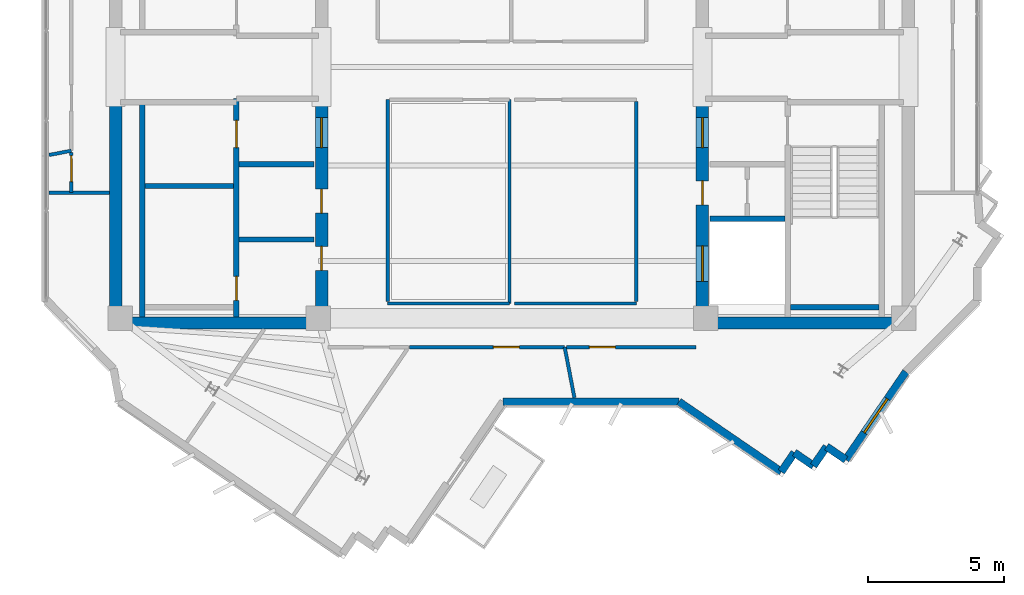
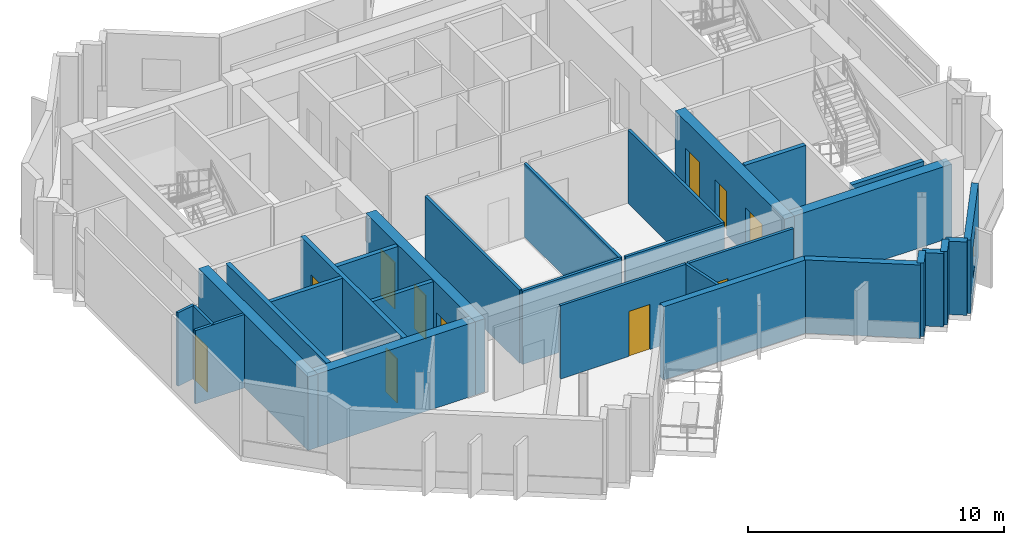
# One storey, part 5 of 11: 30 walls, 11 doors, 1 window, 12 openings.
"""IFC4 building model written with IfcOpenShell, lengths in metres."""

from ifc_helpers import new_model, si_unit, direction, frame, frame_2d, origin, place, context, subcontext, project, spatial, rectangle, extrude, source, transform, mapped, material, layer, layer_set, type_object, element, fill, save


model = new_model("IFC4")

# Units and contexts
model_context = context("Model", 3, precision=1e-05, world=origin(), true_north=direction((0.0, 1.0)))
body_context = subcontext(model_context, "Body", "Model", "MODEL_VIEW")
ifc_project = project(units=[si_unit("LENGTHUNIT", "METRE"), si_unit("AREAUNIT", "SQUARE_METRE"), si_unit("VOLUMEUNIT", "CUBIC_METRE"), si_unit("PLANEANGLEUNIT", "RADIAN"), si_unit("MASSUNIT", "GRAM", prefix="KILO")], contexts=[model_context])

# Site, building, storey
site_placement = place(None, origin())
site = spatial("IfcSite", under=ifc_project, at=site_placement, CompositionType="ELEMENT")
building_placement = place(site_placement, origin())
building = spatial("IfcBuilding", under=site, at=building_placement, Name="Zahravan Cultural Tower", CompositionType="ELEMENT")
storey_placement = place(building_placement, frame((0.0, 0.0, 334.800048828125)))
storey = spatial("IfcBuildingStorey", under=building, at=storey_placement, Name="L81", CompositionType="ELEMENT", Elevation=334.800048828125)

# Wall, openings, doors
ifc_material_1 = material(Name="Concrete C50/60", Category="concrete")
ifc_layer_1 = layer(ifc_material_1, 0.449951171875)
ifc_layer_set_1 = layer_set([ifc_layer_1], Name="Concrete C50/60")
wall_type_1 = type_object("IfcWallType", Name="CW-SHEAR-450-C50", PredefinedType="SHEAR", material=ifc_layer_set_1)
wall_1_placement = place(storey_placement, frame((29.02490234375, 17.39990234375, 0.0), z_axis=(0.0, 0.0, 1.0), x_axis=(0.0, 1.0, 0.0)))
wall_1 = element("IfcWall", 1, at=wall_1_placement, inside=storey, type_object=wall_type_1, Name="L81 Core Shear Wall CW-W-ES-L81", PredefinedType="SHEAR", context=body_context, shape_type="SweptSolid", body=[
    extrude(rectangle(XDim=8.550048828125, YDim=0.449951171875, at=frame_2d((4.27490234375, 0.0))), origin(), (0.0, 0.0, 1.0), 3.5),
])
opening_1_placement = place(wall_1_placement, frame((6.64990234375, 0.0, 0.0)))
opening_1 = element("IfcOpeningElement", 2, at=opening_1_placement, cuts=wall_1, Name="Opening D-L81-08", PredefinedType="OPENING", context=body_context, shape_type="SweptSolid", body=[
    extrude(rectangle(XDim=1.10009765625, YDim=2.199951171875, at=frame_2d((0.550048828125, 1.10009765625))), frame((0.0, 0.23486328125, 0.0), z_axis=(0.0, -1.0, 0.0), x_axis=(1.0, 0.0, 0.0)), (0.0, 0.0, 1.0), 0.469970703125),
])
opening_2_placement = place(wall_1_placement, frame((2.14990234375, 0.0, 0.0)))
opening_2 = element("IfcOpeningElement", 3, at=opening_2_placement, cuts=wall_1, Name="Opening D-L81-10", PredefinedType="OPENING", context=body_context, shape_type="SweptSolid", body=[
    extrude(rectangle(XDim=0.8798828125, YDim=2.10009765625, at=frame_2d((0.43994140625, 1.050048828125))), frame((0.0, 0.23486328125, 0.0), z_axis=(0.0, -1.0, 0.0), x_axis=(1.0, 0.0, 0.0)), (0.0, 0.0, 1.0), 0.469970703125),
])
opening_3_placement = place(wall_1_placement, frame((4.25, 0.0, 0.0)))
opening_3 = element("IfcOpeningElement", 4, at=opening_3_placement, cuts=wall_1, Name="Opening D-L81-11", PredefinedType="OPENING", context=body_context, shape_type="SweptSolid", body=[
    extrude(rectangle(XDim=0.8798828125, YDim=2.10009765625, at=frame_2d((0.43994140625, 1.050048828125))), frame((0.0, 0.23486328125, 0.0), z_axis=(0.0, -1.0, 0.0), x_axis=(1.0, 0.0, 0.0)), (0.0, 0.0, 1.0), 0.469970703125),
])
ifc_material_2 = material(Name="Steel ASTM A572 Grade 50", Category="steel")
door_type_1 = type_object("IfcDoorType", Name="DR-LOBBY-1100", OperationType="NOTDEFINED", PredefinedType="DOOR", material=ifc_material_2)
shared_shape_1 = source(origin(), body_context, "Body", "SweptSolid", [
    extrude(rectangle(XDim=1.10009765625, YDim=2.199951171875, at=frame_2d((0.550048828125, 1.10009765625))), frame((0.0, 0.02490234375, 0.0), z_axis=(0.0, -1.0, 0.0), x_axis=(1.0, 0.0, 0.0)), (0.0, 0.0, 1.0), 0.050048828125),
])
door_1_placement = place(opening_1_placement, origin())
door_1 = element("IfcDoor", 5, at=door_1_placement, inside=storey, type_object=door_type_1, Name="L81 Door D-L81-08", OperationType="SINGLE_SWING_LEFT", OverallHeight=2.199951171875, OverallWidth=1.10009765625, PredefinedType="DOOR", context=body_context, shape_type="MappedRepresentation", body=[
    mapped(shared_shape_1, transform((0.0, 0.0, 0.0), x_axis=(1.0, 0.0, 0.0), y_axis=(0.0, 1.0, 0.0), z_axis=(0.0, 0.0, 1.0), scale=1.0)),
])
fill(opening_1, door_1)
door_type_2 = type_object("IfcDoorType", Name="DR-SVC-880", OperationType="NOTDEFINED", PredefinedType="DOOR", material=ifc_material_2)
shared_shape_2 = source(origin(), body_context, "Body", "SweptSolid", [
    extrude(rectangle(XDim=0.8798828125, YDim=2.10009765625, at=frame_2d((0.43994140625, 1.050048828125))), frame((0.0, 0.02490234375, 0.0), z_axis=(0.0, -1.0, 0.0), x_axis=(1.0, 0.0, 0.0)), (0.0, 0.0, 1.0), 0.050048828125),
])
door_2_placement = place(opening_2_placement, origin())
door_2 = element("IfcDoor", 6, at=door_2_placement, inside=storey, type_object=door_type_2, Name="L81 Door D-L81-10", OperationType="SINGLE_SWING_LEFT", OverallHeight=2.10009765625, OverallWidth=0.8798828125, PredefinedType="DOOR", context=body_context, shape_type="MappedRepresentation", body=[
    mapped(shared_shape_2, transform((0.0, 0.0, 0.0), x_axis=(1.0, 0.0, 0.0), y_axis=(0.0, 1.0, 0.0), z_axis=(0.0, 0.0, 1.0), scale=1.0)),
])
fill(opening_2, door_2)
door_3_placement = place(opening_3_placement, origin())
door_3 = element("IfcDoor", 7, at=door_3_placement, inside=storey, type_object=door_type_2, Name="L81 Door D-L81-11", OperationType="SINGLE_SWING_RIGHT", OverallHeight=2.10009765625, OverallWidth=0.8798828125, PredefinedType="DOOR", context=body_context, shape_type="MappedRepresentation", body=[
    mapped(shared_shape_2, transform((0.0, 0.0, 0.0), x_axis=(1.0, 0.0, 0.0), y_axis=(0.0, 1.0, 0.0), z_axis=(0.0, 0.0, 1.0), scale=1.0)),
])
fill(opening_3, door_3)

wall_2_placement = place(storey_placement, frame((42.97509765625, 17.39990234375, 0.0), z_axis=(0.0, 0.0, 1.0), x_axis=(0.0, 1.0, 0.0)))
wall_2 = element("IfcWall", 8, at=wall_2_placement, inside=storey, type_object=wall_type_1, Name="L81 Core Shear Wall CW-E-WS-L81", PredefinedType="SHEAR", context=body_context, shape_type="SweptSolid", body=[
    extrude(rectangle(XDim=8.550048828125, YDim=0.449951171875, at=frame_2d((4.27490234375, 0.0))), origin(), (0.0, 0.0, 1.0), 3.5),
])
opening_4_placement = place(wall_2_placement, frame((6.64990234375, 0.0, 0.0)))
opening_4 = element("IfcOpeningElement", 9, at=opening_4_placement, cuts=wall_2, Name="Opening D-L81-09", PredefinedType="OPENING", context=body_context, shape_type="SweptSolid", body=[
    extrude(rectangle(XDim=1.10009765625, YDim=2.199951171875, at=frame_2d((0.550048828125, 1.10009765625))), frame((0.0, 0.23486328125, 0.0), z_axis=(0.0, -1.0, 0.0), x_axis=(1.0, 0.0, 0.0)), (0.0, 0.0, 1.0), 0.469970703125),
])
opening_5_placement = place(wall_2_placement, frame((1.75, 0.0, 0.0)))
opening_5 = element("IfcOpeningElement", 10, at=opening_5_placement, cuts=wall_2, Name="Opening LD-L81-03", PredefinedType="OPENING", context=body_context, shape_type="SweptSolid", body=[
    extrude(rectangle(XDim=1.300048828125, YDim=2.199951171875, at=frame_2d((0.64990234375, 1.10009765625))), frame((0.0, 0.23486328125, 0.0), z_axis=(0.0, -1.0, 0.0), x_axis=(1.0, 0.0, 0.0)), (0.0, 0.0, 1.0), 0.469970703125),
])
opening_6_placement = place(wall_2_placement, frame((4.550048828125, 0.0, 0.0)))
opening_6 = element("IfcOpeningElement", 11, at=opening_6_placement, cuts=wall_2, Name="Opening D-L81-12", PredefinedType="OPENING", context=body_context, shape_type="SweptSolid", body=[
    extrude(rectangle(XDim=0.8798828125, YDim=2.10009765625, at=frame_2d((0.43994140625, 1.050048828125))), frame((0.0, 0.23486328125, 0.0), z_axis=(0.0, -1.0, 0.0), x_axis=(1.0, 0.0, 0.0)), (0.0, 0.0, 1.0), 0.469970703125),
])
door_4_placement = place(opening_4_placement, origin())
door_4 = element("IfcDoor", 12, at=door_4_placement, inside=storey, type_object=door_type_1, Name="L81 Door D-L81-09", OperationType="SINGLE_SWING_RIGHT", OverallHeight=2.199951171875, OverallWidth=1.10009765625, PredefinedType="DOOR", context=body_context, shape_type="MappedRepresentation", body=[
    mapped(shared_shape_1, transform((0.0, 0.0, 0.0), x_axis=(1.0, 0.0, 0.0), y_axis=(0.0, 1.0, 0.0), z_axis=(0.0, 0.0, 1.0), scale=1.0)),
])
fill(opening_4, door_4)
door_type_3 = type_object("IfcDoorType", Name="DR-LIFT-1300", OperationType="DOUBLE_DOOR_SLIDING", PredefinedType="DOOR", material=ifc_material_2)
shared_shape_3 = source(origin(), body_context, "Body", "SweptSolid", [
    extrude(rectangle(XDim=1.300048828125, YDim=2.199951171875, at=frame_2d((0.64990234375, 1.10009765625))), frame((0.0, 0.02490234375, 0.0), z_axis=(0.0, -1.0, 0.0), x_axis=(1.0, 0.0, 0.0)), (0.0, 0.0, 1.0), 0.050048828125),
])
door_5_placement = place(opening_5_placement, origin())
door_5 = element("IfcDoor", 13, at=door_5_placement, inside=storey, type_object=door_type_3, Name="L81 Door LD-L81-03", OperationType="DOUBLE_DOOR_SLIDING", OverallHeight=2.199951171875, OverallWidth=1.300048828125, PredefinedType="DOOR", context=body_context, shape_type="MappedRepresentation", body=[
    mapped(shared_shape_3, transform((0.0, 0.0, 0.0), x_axis=(1.0, 0.0, 0.0), y_axis=(0.0, 1.0, 0.0), z_axis=(0.0, 0.0, 1.0), scale=1.0)),
])
fill(opening_5, door_5)
door_6_placement = place(opening_6_placement, origin())
door_6 = element("IfcDoor", 14, at=door_6_placement, inside=storey, type_object=door_type_2, Name="L81 Door D-L81-12", OperationType="SINGLE_SWING_LEFT", OverallHeight=2.10009765625, OverallWidth=0.8798828125, PredefinedType="DOOR", context=body_context, shape_type="MappedRepresentation", body=[
    mapped(shared_shape_2, transform((0.0, 0.0, 0.0), x_axis=(1.0, 0.0, 0.0), y_axis=(0.0, 1.0, 0.0), z_axis=(0.0, 0.0, 1.0), scale=1.0)),
])
fill(opening_6, door_6)

# Wall, opening, window
ifc_material_3 = material(Name="Precast concrete C40/50", Category="concrete")
ifc_layer_2 = layer(ifc_material_3, 0.280029296875)
ifc_layer_set_2 = layer_set([ifc_layer_2], Name="Precast concrete C40/50")
wall_type_2 = type_object("IfcWallType", Name="EW-TC-280", PredefinedType="SOLIDWALL", material=ifc_layer_set_2)
wall_3_placement = place(storey_placement, frame((50.43701171875, 15.8349609375, 0.0), z_axis=(0.0, 0.0, 1.0), x_axis=(-0.564961879511, -0.825117006672, 0.0)))
wall_3 = element("IfcWall", 15, at=wall_3_placement, inside=storey, type_object=wall_type_2, Name="L81 Exterior Masonry Frame Wall 27", PredefinedType="SOLIDWALL", context=body_context, shape_type="SweptSolid", body=[
    extrude(rectangle(XDim=3.90380859375, YDim=0.280029296875, at=frame_2d((1.951904296875, 0.0))), origin(), (0.0, 0.0, 1.0), 3.5),
])
opening_7_placement = place(wall_3_placement, frame((1.201904296875, 0.0, 0.85009765625)))
opening_7 = element("IfcOpeningElement", 16, at=opening_7_placement, cuts=wall_3, Name="Opening WN-03", PredefinedType="OPENING", context=body_context, shape_type="SweptSolid", body=[
    extrude(rectangle(XDim=1.5, YDim=1.5, at=frame_2d((0.75, 0.75))), frame((0.0, 0.14990234375, 0.0), z_axis=(0.0, -1.0, 0.0), x_axis=(1.0, 0.0, 0.0)), (0.0, 0.0, 1.0), 0.300048828125),
])
ifc_material_4 = material(Name="Low-E solar-control double glazing", Category="glass")
window_type = type_object("IfcWindowType", Name="WN-REC-1500X1500", PartitioningType="SINGLE_PANEL", PredefinedType="WINDOW", material=ifc_material_4)
shared_shape_4 = source(origin(), body_context, "Body", "SweptSolid", [
    extrude(rectangle(XDim=1.5, YDim=1.5, at=frame_2d((0.75, 0.75))), frame((0.0, 0.030029296875, 0.0), z_axis=(0.0, -1.0, 0.0), x_axis=(1.0, 0.0, 0.0)), (0.0, 0.0, 1.0), 0.06005859375),
])
window_placement = place(opening_7_placement, origin())
window = element("IfcWindow", 17, at=window_placement, inside=storey, type_object=window_type, Name="L81 Recessed Solar Window 08", OverallHeight=1.5, OverallWidth=1.5, PartitioningType="SINGLE_PANEL", PredefinedType="WINDOW", context=body_context, shape_type="MappedRepresentation", body=[
    mapped(shared_shape_4, transform((0.0, 0.0, 0.0), x_axis=(1.0, 0.0, 0.0), y_axis=(0.0, 1.0, 0.0), z_axis=(0.0, 0.0, 1.0), scale=1.0)),
])
fill(opening_7, window)

# Wall, opening, door
ifc_material_5 = material(Name="Gypsum plasterboard partition")
ifc_layer_3 = layer(ifc_material_5, 0.125)
ifc_layer_set_3 = layer_set([ifc_layer_3], Name="Gypsum plasterboard partition")
wall_type_3 = type_object("IfcWallType", Name="W-PART-125", PredefinedType="PARTITIONING", material=ifc_layer_set_3)
wall_4_placement = place(storey_placement, frame((19.85009765625, 23.869384765625, 0.0), z_axis=(0.0, 0.0, 1.0), x_axis=(0.000665004009, -0.999999778885, 0.0)))
wall_4 = element("IfcWall", 18, at=wall_4_placement, inside=storey, type_object=wall_type_3, Name="L81 Interior Wall 069", PredefinedType="PARTITIONING", context=body_context, shape_type="SweptSolid", body=[
    extrude(rectangle(XDim=1.468505859375, YDim=0.125, at=frame_2d((0.734375, 0.0))), origin(), (0.0, 0.0, 1.0), 3.5),
])
opening_8_placement = place(wall_4_placement, frame((0.114013671875, 0.0, 0.0)))
opening_8 = element("IfcOpeningElement", 19, at=opening_8_placement, cuts=wall_4, Name="Opening D-L81-25", PredefinedType="OPENING", context=body_context, shape_type="SweptSolid", body=[
    extrude(rectangle(XDim=0.949951171875, YDim=2.14990234375, at=frame_2d((0.47509765625, 1.074951171875))), frame((0.0, 0.072509765625, 0.0), z_axis=(0.0, -1.0, 0.0), x_axis=(1.0, 0.0, 0.0)), (0.0, 0.0, 1.0), 0.14501953125),
])
ifc_material_6 = material(Name="Anodised bronze-aluminium mullion", Category="aluminium")
door_type_4 = type_object("IfcDoorType", Name="DR-ROOM-950", OperationType="NOTDEFINED", PredefinedType="DOOR", material=ifc_material_6)
shared_shape_5 = source(origin(), body_context, "Body", "SweptSolid", [
    extrude(rectangle(XDim=0.949951171875, YDim=2.14990234375, at=frame_2d((0.47509765625, 1.074951171875))), frame((0.0, 0.02490234375, 0.0), z_axis=(0.0, -1.0, 0.0), x_axis=(1.0, 0.0, 0.0)), (0.0, 0.0, 1.0), 0.050048828125),
])
door_7_placement = place(opening_8_placement, origin())
door_7 = element("IfcDoor", 20, at=door_7_placement, inside=storey, type_object=door_type_4, Name="L81 Door D-L81-25", OperationType="SINGLE_SWING_RIGHT", OverallHeight=2.14990234375, OverallWidth=0.949951171875, PredefinedType="DOOR", context=body_context, shape_type="MappedRepresentation", body=[
    mapped(shared_shape_5, transform((0.0, 0.0, 0.0), x_axis=(1.0, 0.0, 0.0), y_axis=(0.0, 1.0, 0.0), z_axis=(0.0, 0.0, 1.0), scale=1.0)),
])
fill(opening_8, door_7)

wall_5_placement = place(storey_placement, frame((32.235107421875, 16.739990234375, 0.0), z_axis=(0.0, 0.0, 1.0), x_axis=(1.0, 0.0, 0.0)))
wall_5 = element("IfcWall", 21, at=wall_5_placement, inside=storey, type_object=wall_type_3, Name="L81 Interior Wall 092", PredefinedType="PARTITIONING", context=body_context, shape_type="SweptSolid", body=[
    extrude(rectangle(XDim=5.696044921875, YDim=0.125, at=frame_2d((2.84814453125, 0.0))), origin(), (0.0, 0.0, 1.0), 3.5),
])
opening_9_placement = place(wall_5_placement, frame((3.0849609375, 0.0, 0.0)))
opening_9 = element("IfcOpeningElement", 22, at=opening_9_placement, cuts=wall_5, Name="Opening D-L81-27", PredefinedType="OPENING", context=body_context, shape_type="SweptSolid", body=[
    extrude(rectangle(XDim=0.949951171875, YDim=2.14990234375, at=frame_2d((0.47509765625, 1.074951171875))), frame((0.0, 0.072509765625, 0.0), z_axis=(0.0, -1.0, 0.0), x_axis=(1.0, 0.0, 0.0)), (0.0, 0.0, 1.0), 0.14501953125),
])
door_8_placement = place(opening_9_placement, origin())
door_8 = element("IfcDoor", 23, at=door_8_placement, inside=storey, type_object=door_type_4, Name="L81 Door D-L81-27", OperationType="SINGLE_SWING_RIGHT", OverallHeight=2.14990234375, OverallWidth=0.949951171875, PredefinedType="DOOR", context=body_context, shape_type="MappedRepresentation", body=[
    mapped(shared_shape_5, transform((0.0, 0.0, 0.0), x_axis=(1.0, 0.0, 0.0), y_axis=(0.0, 1.0, 0.0), z_axis=(0.0, 0.0, 1.0), scale=1.0)),
])
fill(opening_9, door_8)

wall_6_placement = place(storey_placement, frame((37.999755859375, 16.739990234375, 0.0), z_axis=(0.0, 0.0, 1.0), x_axis=(1.0, 0.0, 0.0)))
wall_6 = element("IfcWall", 24, at=wall_6_placement, inside=storey, type_object=wall_type_3, Name="L81 Interior Wall 095", PredefinedType="PARTITIONING", context=body_context, shape_type="SweptSolid", body=[
    extrude(rectangle(XDim=4.744384765625, YDim=0.125, at=frame_2d((2.3720703125, 0.0))), origin(), (0.0, 0.0, 1.0), 3.5),
])
opening_10_placement = place(wall_6_placement, frame((0.834716796875, 0.0, 0.0)))
opening_10 = element("IfcOpeningElement", 25, at=opening_10_placement, cuts=wall_6, Name="Opening D-L81-28", PredefinedType="OPENING", context=body_context, shape_type="SweptSolid", body=[
    extrude(rectangle(XDim=0.949951171875, YDim=2.14990234375, at=frame_2d((0.47509765625, 1.074951171875))), frame((0.0, 0.072509765625, 0.0), z_axis=(0.0, -1.0, 0.0), x_axis=(1.0, 0.0, 0.0)), (0.0, 0.0, 1.0), 0.14501953125),
])
door_9_placement = place(opening_10_placement, origin())
door_9 = element("IfcDoor", 26, at=door_9_placement, inside=storey, type_object=door_type_4, Name="L81 Door D-L81-28", OperationType="SINGLE_SWING_LEFT", OverallHeight=2.14990234375, OverallWidth=0.949951171875, PredefinedType="DOOR", context=body_context, shape_type="MappedRepresentation", body=[
    mapped(shared_shape_5, transform((0.0, 0.0, 0.0), x_axis=(1.0, 0.0, 0.0), y_axis=(0.0, 1.0, 0.0), z_axis=(0.0, 0.0, 1.0), scale=1.0)),
])
fill(opening_10, door_9)

# Wall, openings, doors
ifc_material_7 = material(Name="Concrete C45/55", Category="concrete")
ifc_layer_4 = layer(ifc_material_7, 0.199951171875)
ifc_layer_set_4 = layer_set([ifc_layer_4], Name="Concrete C45/55")
wall_type_4 = type_object("IfcWallType", Name="W-SHAFT-200", PredefinedType="SOLIDWALL", material=ifc_layer_set_4)
wall_7_placement = place(storey_placement, frame((25.89990234375, 17.85009765625, 0.0), z_axis=(0.0, 0.0, 1.0), x_axis=(0.0, 1.0, 0.0)))
wall_7 = element("IfcWall", 27, at=wall_7_placement, inside=storey, type_object=wall_type_4, Name="L81 Interior Wall 005", PredefinedType="SOLIDWALL", context=body_context, shape_type="SweptSolid", body=[
    extrude(rectangle(XDim=8.0, YDim=0.199951171875, at=frame_2d((4.0, 0.0))), origin(), (0.0, 0.0, 1.0), 3.5),
])
opening_11_placement = place(wall_7_placement, frame((6.199951171875, 0.0, 0.0)))
opening_11 = element("IfcOpeningElement", 28, at=opening_11_placement, cuts=wall_7, Name="Opening D-L81-04", PredefinedType="OPENING", context=body_context, shape_type="SweptSolid", body=[
    extrude(rectangle(XDim=1.0, YDim=2.14990234375, at=frame_2d((0.5, 1.074951171875))), frame((0.0, 0.10986328125, 0.0), z_axis=(0.0, -1.0, 0.0), x_axis=(1.0, 0.0, 0.0)), (0.0, 0.0, 1.0), 0.219970703125),
])
opening_12_placement = place(wall_7_placement, frame((0.60009765625, 0.0, 0.0)))
opening_12 = element("IfcOpeningElement", 29, at=opening_12_placement, cuts=wall_7, Name="Opening D-L81-05", PredefinedType="OPENING", context=body_context, shape_type="SweptSolid", body=[
    extrude(rectangle(XDim=0.8798828125, YDim=2.10009765625, at=frame_2d((0.43994140625, 1.050048828125))), frame((0.0, 0.10986328125, 0.0), z_axis=(0.0, -1.0, 0.0), x_axis=(1.0, 0.0, 0.0)), (0.0, 0.0, 1.0), 0.219970703125),
])
door_10_placement = place(opening_12_placement, origin())
door_10 = element("IfcDoor", 30, at=door_10_placement, inside=storey, type_object=door_type_2, Name="L81 Door D-L81-05", OperationType="SINGLE_SWING_RIGHT", OverallHeight=2.10009765625, OverallWidth=0.8798828125, PredefinedType="DOOR", context=body_context, shape_type="MappedRepresentation", body=[
    mapped(shared_shape_2, transform((0.0, 0.0, 0.0), x_axis=(1.0, 0.0, 0.0), y_axis=(0.0, 1.0, 0.0), z_axis=(0.0, 0.0, 1.0), scale=1.0)),
])
fill(opening_12, door_10)
door_type_5 = type_object("IfcDoorType", Name="DR-COMP-1000", OperationType="NOTDEFINED", PredefinedType="DOOR", material=ifc_material_2)
shared_shape_6 = source(origin(), body_context, "Body", "SweptSolid", [
    extrude(rectangle(XDim=1.0, YDim=2.14990234375, at=frame_2d((0.5, 1.074951171875))), frame((0.0, 0.02490234375, 0.0), z_axis=(0.0, -1.0, 0.0), x_axis=(1.0, 0.0, 0.0)), (0.0, 0.0, 1.0), 0.050048828125),
])
door_11_placement = place(opening_11_placement, origin())
door_11 = element("IfcDoor", 31, at=door_11_placement, inside=storey, type_object=door_type_5, Name="L81 Door D-L81-04", OperationType="SINGLE_SWING_LEFT", OverallHeight=2.14990234375, OverallWidth=1.0, PredefinedType="DOOR", context=body_context, shape_type="MappedRepresentation", body=[
    mapped(shared_shape_6, transform((0.0, 0.0, 0.0), x_axis=(1.0, 0.0, 0.0), y_axis=(0.0, 1.0, 0.0), z_axis=(0.0, 0.0, 1.0), scale=1.0)),
])
fill(opening_11, door_11)

# Walls
shared_shape_7 = source(origin(), body_context, "Body", "SweptSolid", [
    extrude(rectangle(XDim=8.550048828125, YDim=0.449951171875, at=frame_2d((4.27490234375, 0.0))), origin(), (0.0, 0.0, 1.0), 3.5),
])
wall_8_placement = place(storey_placement, frame((21.47509765625, 17.39990234375, 0.0), z_axis=(0.0, 0.0, 1.0), x_axis=(0.0, 1.0, 0.0)))
element("IfcWall", 32, at=wall_8_placement, inside=storey, type_object=wall_type_1, Name="L81 Core Shear Wall CW-W-WS-L81", PredefinedType="SHEAR", context=body_context, shape_type="MappedRepresentation", body=[
    mapped(shared_shape_7, transform((0.0, 0.0, 0.0), x_axis=(1.0, 0.0, 0.0), y_axis=(0.0, 1.0, 0.0), z_axis=(0.0, 0.0, 1.0), scale=1.0)),
])
shared_shape_8 = source(origin(), body_context, "Body", "SweptSolid", [
    extrude(rectangle(XDim=7.10009765625, YDim=0.449951171875, at=frame_2d((3.550048828125, 0.0))), origin(), (0.0, 0.0, 1.0), 3.5),
])
for number, where, z_axis, x_axis, name in (
    (33, (21.699951171875, 17.625, 0.0), (0.0, 0.0, 1.0), (1.0, 0.0, 0.0), "L81 Core Shear Wall CW-W-S-L81"),
    (34, (43.199951171875, 17.625, 0.0), (0.0, 0.0, 1.0), (1.0, 0.0, 0.0), "L81 Core Shear Wall CW-E-S-L81"),
):
    element("IfcWall", number, at=place(storey_placement, frame(where, z_axis=z_axis, x_axis=x_axis)), inside=storey, type_object=wall_type_1, Name=name, PredefinedType="SHEAR", context=body_context, shape_type="MappedRepresentation", body=[
        mapped(shared_shape_8, transform((0.0, 0.0, 0.0), x_axis=(1.0, 0.0, 0.0), y_axis=(0.0, 1.0, 0.0), z_axis=(0.0, 0.0, 1.0), scale=1.0)),
    ])
shared_shape_9 = source(origin(), body_context, "Body", "SweptSolid", [
    extrude(rectangle(XDim=0.85009765625, YDim=0.280029296875, at=frame_2d((0.425048828125, 0.0))), origin(), (0.0, 0.0, 1.0), 3.5),
])
for number, where, z_axis, x_axis, name in (
    (35, (48.2314453125, 12.61376953125, 0.0), (0.0, 0.0, 1.0), (-0.825138153006, 0.564930994418, 0.0), "L81 Exterior Masonry Frame Wall 28"),
    (36, (47.530029296875, 13.093994140625, 0.0), (0.0, 0.0, 1.0), (-0.564930994418, -0.825138153006, 0.0), "L81 Exterior Masonry Frame Wall 29"),
    (37, (47.0498046875, 12.392578125, 0.0), (0.0, 0.0, 1.0), (-0.825138153006, 0.564930994418, 0.0), "L81 Exterior Masonry Frame Wall 30"),
    (38, (46.348388671875, 12.872802734375, 0.0), (0.0, 0.0, 1.0), (-0.564930994418, -0.825138153006, 0.0), "L81 Exterior Masonry Frame Wall 31"),
):
    element("IfcWall", number, at=place(storey_placement, frame(where, z_axis=z_axis, x_axis=x_axis)), inside=storey, type_object=wall_type_2, Name=name, PredefinedType="SOLIDWALL", context=body_context, shape_type="MappedRepresentation", body=[
        mapped(shared_shape_9, transform((0.0, 0.0, 0.0), x_axis=(1.0, 0.0, 0.0), y_axis=(0.0, 1.0, 0.0), z_axis=(0.0, 0.0, 1.0), scale=1.0)),
    ])
shared_shape_10 = source(origin(), body_context, "Body", "SweptSolid", [
    extrude(rectangle(XDim=4.54638671875, YDim=0.280029296875, at=frame_2d((2.273193359375, 0.0))), origin(), (0.0, 0.0, 1.0), 3.5),
])
wall_9_placement = place(storey_placement, frame((45.8681640625, 12.17138671875, 0.0), z_axis=(0.0, 0.0, 1.0), x_axis=(-0.825104362901, 0.564980345075, 0.0)))
element("IfcWall", 39, at=wall_9_placement, inside=storey, type_object=wall_type_2, Name="L81 Exterior Masonry Frame Wall 32", PredefinedType="SOLIDWALL", context=body_context, shape_type="MappedRepresentation", body=[
    mapped(shared_shape_10, transform((0.0, 0.0, 0.0), x_axis=(1.0, 0.0, 0.0), y_axis=(0.0, 1.0, 0.0), z_axis=(0.0, 0.0, 1.0), scale=1.0)),
])
shared_shape_11 = source(origin(), body_context, "Body", "SweptSolid", [
    extrude(rectangle(XDim=6.43994140625, YDim=0.280029296875, at=frame_2d((3.219970703125, 0.0))), origin(), (0.0, 0.0, 1.0), 3.5),
])
wall_10_placement = place(storey_placement, frame((42.116943359375, 14.739990234375, 0.0), z_axis=(0.0, 0.0, 1.0), x_axis=(-1.0, 0.0, 0.0)))
element("IfcWall", 40, at=wall_10_placement, inside=storey, type_object=wall_type_2, Name="L81 Exterior Masonry Frame Wall 33", PredefinedType="SOLIDWALL", context=body_context, shape_type="MappedRepresentation", body=[
    mapped(shared_shape_11, transform((0.0, 0.0, 0.0), x_axis=(1.0, 0.0, 0.0), y_axis=(0.0, 1.0, 0.0), z_axis=(0.0, 0.0, 1.0), scale=1.0)),
])
shared_shape_12 = source(origin(), body_context, "Body", "SweptSolid", [
    extrude(rectangle(XDim=7.869873046875, YDim=0.199951171875, at=frame_2d((3.93505859375, 0.0))), origin(), (0.0, 0.0, 1.0), 3.5),
])
wall_11_placement = place(storey_placement, frame((22.449951171875, 17.85009765625, 0.0), z_axis=(0.0, 0.0, 1.0), x_axis=(0.0, 1.0, 0.0)))
element("IfcWall", 41, at=wall_11_placement, inside=storey, type_object=wall_type_4, Name="L81 Interior Wall 001", PredefinedType="SOLIDWALL", context=body_context, shape_type="MappedRepresentation", body=[
    mapped(shared_shape_12, transform((0.0, 0.0, 0.0), x_axis=(1.0, 0.0, 0.0), y_axis=(0.0, 1.0, 0.0), z_axis=(0.0, 0.0, 1.0), scale=1.0)),
])
shared_shape_13 = source(origin(), body_context, "Body", "SweptSolid", [
    extrude(rectangle(XDim=3.25, YDim=0.199951171875, at=frame_2d((1.625, 0.0))), origin(), (0.0, 0.0, 1.0), 3.5),
])
wall_12_placement = place(storey_placement, frame((46.199951171875, 18.199951171875, 0.0), z_axis=(0.0, 0.0, 1.0), x_axis=(1.0, 0.0, 0.0)))
element("IfcWall", 42, at=wall_12_placement, inside=storey, type_object=wall_type_4, Name="L81 Interior Wall 020", PredefinedType="SOLIDWALL", context=body_context, shape_type="MappedRepresentation", body=[
    mapped(shared_shape_13, transform((0.0, 0.0, 0.0), x_axis=(1.0, 0.0, 0.0), y_axis=(0.0, 1.0, 0.0), z_axis=(0.0, 0.0, 1.0), scale=1.0)),
])
ifc_layer_5 = layer(ifc_material_5, 0.179931640625)
ifc_layer_set_5 = layer_set([ifc_layer_5], Name="Gypsum plasterboard partition")
wall_type_5 = type_object("IfcWallType", Name="W-COMP-180", PredefinedType="PARTITIONING", material=ifc_layer_set_5)
shared_shape_14 = source(origin(), body_context, "Body", "SweptSolid", [
    extrude(rectangle(XDim=3.25, YDim=0.179931640625, at=frame_2d((1.625, 0.0))), origin(), (0.0, 0.0, 1.0), 3.5),
])
wall_13_placement = place(storey_placement, frame((22.550048828125, 22.64990234375, 0.0), z_axis=(0.0, 0.0, 1.0), x_axis=(1.0, 0.0, 0.0)))
element("IfcWall", 43, at=wall_13_placement, inside=storey, type_object=wall_type_5, Name="L81 Interior Wall 021", PredefinedType="PARTITIONING", context=body_context, shape_type="MappedRepresentation", body=[
    mapped(shared_shape_14, transform((0.0, 0.0, 0.0), x_axis=(1.0, 0.0, 0.0), y_axis=(0.0, 1.0, 0.0), z_axis=(0.0, 0.0, 1.0), scale=1.0)),
])
shared_shape_15 = source(origin(), body_context, "Body", "SweptSolid", [
    extrude(rectangle(XDim=2.75, YDim=0.199951171875, at=frame_2d((1.375, 0.0))), origin(), (0.0, 0.0, 1.0), 3.5),
])
for number, where, z_axis, x_axis, name in (
    (44, (26.0, 23.449951171875, 0.0), (0.0, 0.0, 1.0), (1.0, 0.0, 0.0), "L81 Interior Wall 024"),
    (45, (43.25, 21.449951171875, 0.0), (0.0, 0.0, 1.0), (1.0, 0.0, 0.0), "L81 Interior Wall 026"),
):
    element("IfcWall", number, at=place(storey_placement, frame(where, z_axis=z_axis, x_axis=x_axis)), inside=storey, type_object=wall_type_4, Name=name, PredefinedType="SOLIDWALL", context=body_context, shape_type="MappedRepresentation", body=[
        mapped(shared_shape_15, transform((0.0, 0.0, 0.0), x_axis=(1.0, 0.0, 0.0), y_axis=(0.0, 1.0, 0.0), z_axis=(0.0, 0.0, 1.0), scale=1.0)),
    ])
shared_shape_16 = source(origin(), body_context, "Body", "SweptSolid", [
    extrude(rectangle(XDim=2.75, YDim=0.179931640625, at=frame_2d((1.375, 0.0))), origin(), (0.0, 0.0, 1.0), 3.5),
])
wall_14_placement = place(storey_placement, frame((26.0, 20.679931640625, 0.0), z_axis=(0.0, 0.0, 1.0), x_axis=(1.0, 0.0, 0.0)))
element("IfcWall", 46, at=wall_14_placement, inside=storey, type_object=wall_type_5, Name="L81 Interior Wall 027", PredefinedType="PARTITIONING", context=body_context, shape_type="MappedRepresentation", body=[
    mapped(shared_shape_16, transform((0.0, 0.0, 0.0), x_axis=(1.0, 0.0, 0.0), y_axis=(0.0, 1.0, 0.0), z_axis=(0.0, 0.0, 1.0), scale=1.0)),
])
shared_shape_17 = source(origin(), body_context, "Body", "SweptSolid", [
    extrude(rectangle(XDim=4.469970703125, YDim=0.125, at=frame_2d((2.23486328125, 0.0))), origin(), (0.0, 0.0, 1.0), 3.5),
])
for number, where, z_axis, x_axis, name in (
    (47, (35.909912109375, 18.340087890625, 0.0), (0.0, 0.0, 1.0), (-1.0, 0.0, 0.0), "L81 Interior Wall 083"),
    (48, (40.56005859375, 18.340087890625, 0.0), (0.0, 0.0, 1.0), (-1.0, 0.0, 0.0), "L81 Interior Wall 087"),
):
    element("IfcWall", number, at=place(storey_placement, frame(where, z_axis=z_axis, x_axis=x_axis)), inside=storey, type_object=wall_type_3, Name=name, PredefinedType="PARTITIONING", context=body_context, shape_type="MappedRepresentation", body=[
        mapped(shared_shape_17, transform((0.0, 0.0, 0.0), x_axis=(1.0, 0.0, 0.0), y_axis=(0.0, 1.0, 0.0), z_axis=(0.0, 0.0, 1.0), scale=1.0)),
    ])
shared_shape_18 = source(origin(), body_context, "Body", "SweptSolid", [
    extrude(rectangle(XDim=7.402587890625, YDim=0.125, at=frame_2d((3.701171875, 0.0))), origin(), (0.0, 0.0, 1.0), 3.5),
])
wall_15_placement = place(storey_placement, frame((31.43994140625, 18.407470703125, 0.0), z_axis=(0.0, 0.0, 1.0), x_axis=(0.0, 1.0, 0.0)))
element("IfcWall", 49, at=wall_15_placement, inside=storey, type_object=wall_type_3, Name="L81 Interior Wall 084", PredefinedType="PARTITIONING", context=body_context, shape_type="MappedRepresentation", body=[
    mapped(shared_shape_18, transform((0.0, 0.0, 0.0), x_axis=(1.0, 0.0, 0.0), y_axis=(0.0, 1.0, 0.0), z_axis=(0.0, 0.0, 1.0), scale=1.0)),
])
shared_shape_19 = source(origin(), body_context, "Body", "SweptSolid", [
    extrude(rectangle(XDim=7.469970703125, YDim=0.125, at=frame_2d((3.73486328125, 0.0))), origin(), (0.0, 0.0, 1.0), 3.5),
])
wall_16_placement = place(storey_placement, frame((35.909912109375, 25.81005859375, 0.0), z_axis=(0.0, 0.0, 1.0), x_axis=(0.0, -1.0, 0.0)))
element("IfcWall", 50, at=wall_16_placement, inside=storey, type_object=wall_type_3, Name="L81 Interior Wall 086", PredefinedType="PARTITIONING", context=body_context, shape_type="MappedRepresentation", body=[
    mapped(shared_shape_19, transform((0.0, 0.0, 0.0), x_axis=(1.0, 0.0, 0.0), y_axis=(0.0, 1.0, 0.0), z_axis=(0.0, 0.0, 1.0), scale=1.0)),
])
shared_shape_20 = source(origin(), body_context, "Body", "SweptSolid", [
    extrude(rectangle(XDim=7.3349609375, YDim=0.125, at=frame_2d((3.66748046875, 0.0))), origin(), (0.0, 0.0, 1.0), 3.5),
])
wall_17_placement = place(storey_placement, frame((40.56005859375, 25.742431640625, 0.0), z_axis=(0.0, 0.0, 1.0), x_axis=(0.0, -1.0, 0.0)))
element("IfcWall", 51, at=wall_17_placement, inside=storey, type_object=wall_type_3, Name="L81 Interior Wall 089", PredefinedType="PARTITIONING", context=body_context, shape_type="MappedRepresentation", body=[
    mapped(shared_shape_20, transform((0.0, 0.0, 0.0), x_axis=(1.0, 0.0, 0.0), y_axis=(0.0, 1.0, 0.0), z_axis=(0.0, 0.0, 1.0), scale=1.0)),
])
shared_shape_21 = source(origin(), body_context, "Body", "SweptSolid", [
    extrude(rectangle(XDim=2.215087890625, YDim=0.125, at=frame_2d((1.107421875, 0.0))), origin(), (0.0, 0.0, 1.0), 3.5),
])
wall_18_placement = place(storey_placement, frame((19.030029296875, 22.401611328125, 0.0), z_axis=(0.0, 0.0, 1.0), x_axis=(0.999999702379, -0.000771519665, 0.0)))
element("IfcWall", 52, at=wall_18_placement, inside=storey, type_object=wall_type_3, Name="L81 Interior Wall 070", PredefinedType="PARTITIONING", context=body_context, shape_type="MappedRepresentation", body=[
    mapped(shared_shape_21, transform((0.0, 0.0, 0.0), x_axis=(1.0, 0.0, 0.0), y_axis=(0.0, 1.0, 0.0), z_axis=(0.0, 0.0, 1.0), scale=1.0)),
])
shared_shape_22 = source(origin(), body_context, "Body", "SweptSolid", [
    extrude(rectangle(XDim=0.829833984375, YDim=0.125, at=frame_2d((0.4150390625, 0.0))), origin(), (0.0, 0.0, 1.0), 3.5),
])
wall_19_placement = place(storey_placement, frame((19.849853515625, 23.93798828125, 0.0), z_axis=(0.0, 0.0, 1.0), x_axis=(-0.98205677528, -0.188585498189, 0.0)))
element("IfcWall", 53, at=wall_19_placement, inside=storey, type_object=wall_type_3, Name="L81 Interior Wall 064", PredefinedType="PARTITIONING", context=body_context, shape_type="MappedRepresentation", body=[
    mapped(shared_shape_22, transform((0.0, 0.0, 0.0), x_axis=(1.0, 0.0, 0.0), y_axis=(0.0, 1.0, 0.0), z_axis=(0.0, 0.0, 1.0), scale=1.0)),
])
shared_shape_23 = source(origin(), body_context, "Body", "SweptSolid", [
    extrude(rectangle(XDim=1.888916015625, YDim=0.125, at=frame_2d((0.9443359375, 0.0))), origin(), (0.0, 0.0, 1.0), 3.5),
])
wall_20_placement = place(storey_placement, frame((37.93115234375, 16.739990234375, 0.0), z_axis=(0.0, 0.0, 1.0), x_axis=(0.188454265316, -0.982081966989, 0.0)))
element("IfcWall", 54, at=wall_20_placement, inside=storey, type_object=wall_type_3, Name="L81 Interior Wall 093", PredefinedType="PARTITIONING", context=body_context, shape_type="MappedRepresentation", body=[
    mapped(shared_shape_23, transform((0.0, 0.0, 0.0), x_axis=(1.0, 0.0, 0.0), y_axis=(0.0, 1.0, 0.0), z_axis=(0.0, 0.0, 1.0), scale=1.0)),
])

save(model, "model.ifc")
